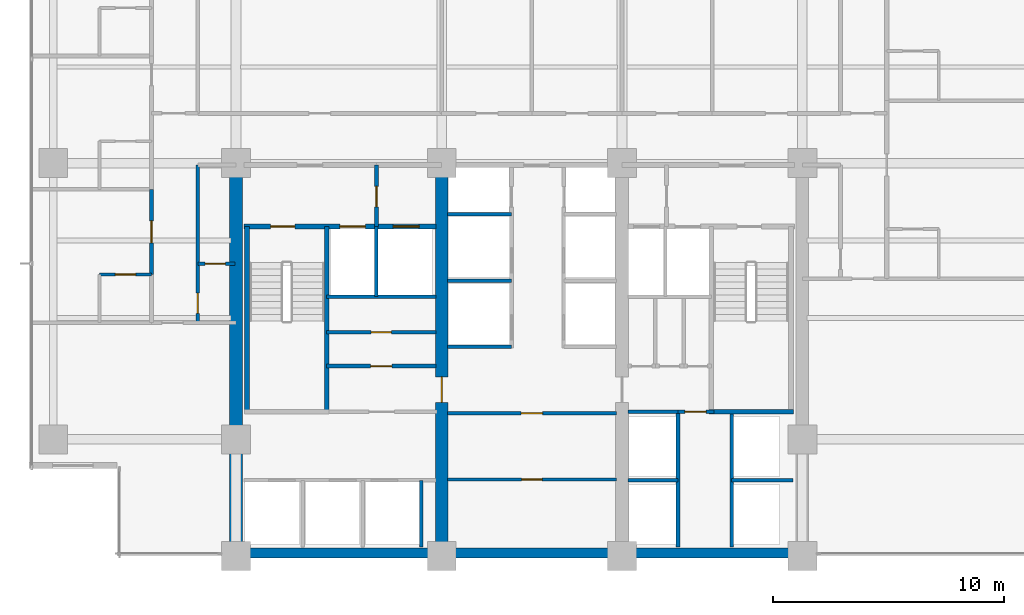
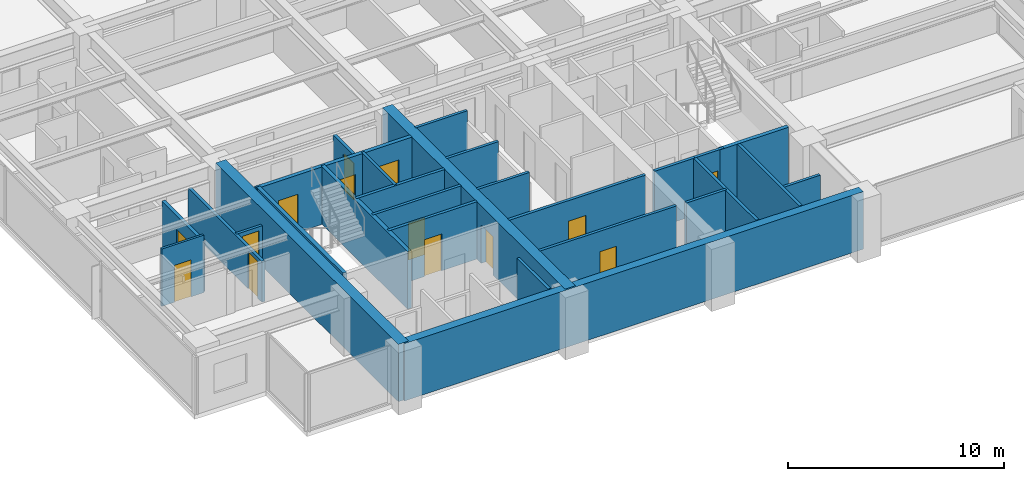
# One storey, part 8 of 17: 28 walls, 14 doors, 14 openings.
"""IFC4 building model written with IfcOpenShell, lengths in metres."""

import ifcopenshell
import ifcopenshell.guid

model = None  # the IFC model being written
_history = None  # IfcOwnerHistory: only IFC2X3 demands one
_inside = {}  # id of a spatial element -> (the spatial element, [elements in it])
_under = {}  # id of a project, library or spatial element -> (it, [spatial elements below it])
_declared = {}  # id of a project -> (the project, [libraries it declares])
_typed = {}  # id of a type object -> (the type object, [elements of that type])
_made_of = {}  # id of a material, layer set ... -> (it, [elements and type objects made of it])


def new_model(schema):
    """Start an empty IFC model of exactly this schema.

    Asked for "IFC4X3", IfcOpenShell would pick the latest addendum, in which some entities
    have other attributes; the version numbers below select the first issue.
    IFC2X3 requires an IfcOwnerHistory on every rooted entity: one is made here for all.
    """
    global model, _history
    if schema == "IFC4X3":
        model = ifcopenshell.file(schema_version=(4, 3, 0, 0))
    else:
        model = ifcopenshell.file(schema=schema)
    _inside.clear()
    _under.clear()
    _declared.clear()
    _typed.clear()
    _made_of.clear()
    _history = None
    if model.schema == "IFC2X3":
        org = make("IfcOrganization", Name="unknown")
        user = make(
            "IfcPersonAndOrganization",
            ThePerson=make("IfcPerson", FamilyName="unknown"),
            TheOrganization=org,
        )
        app = make(
            "IfcApplication",
            ApplicationDeveloper=org,
            Version="unknown",
            ApplicationFullName="unknown",
            ApplicationIdentifier="unknown",
        )
        _history = make(
            "IfcOwnerHistory",
            OwningUser=user,
            OwningApplication=app,
            ChangeAction="ADDED",
            CreationDate=0,
        )
    return model


def make(cls, **values):
    """One entity of the class cls with the attributes given. An attribute that is None is left unset."""
    return model.create_entity(
        cls, **{name: value for name, value in values.items() if value is not None}
    )


def rooted(cls, **values):
    """An entity with a GlobalId (a new one), such as an element, a storey or a relation."""
    return make(cls, GlobalId=ifcopenshell.guid.new(), OwnerHistory=_history, **values)


def si_unit(unit_type, name, prefix=None):
    """IfcSIUnit, for example si_unit("LENGTHUNIT", "METRE", prefix="MILLI")."""
    return make("IfcSIUnit", UnitType=unit_type, Prefix=prefix, Name=name)


def assignment(units):
    """IfcUnitAssignment: the units of a project."""
    return None if units is None else make("IfcUnitAssignment", Units=units)


def point(xyz):
    """IfcCartesianPoint."""
    return None if xyz is None else make("IfcCartesianPoint", Coordinates=xyz)


def direction(xyz):
    """IfcDirection."""
    return None if xyz is None else make("IfcDirection", DirectionRatios=xyz)


def frame(location, z_axis=None, x_axis=None):
    """IfcAxis2Placement3D, a coordinate frame: its origin and axes. An axis left out is left unset."""
    return make(
        "IfcAxis2Placement3D",
        Location=point(location),
        Axis=direction(z_axis),
        RefDirection=direction(x_axis),
    )


def frame_2d(location, x_axis=None):
    """IfcAxis2Placement2D, a coordinate frame in the plane: its origin and x axis."""
    return make(
        "IfcAxis2Placement2D", Location=point(location), RefDirection=direction(x_axis)
    )


def origin():
    """The frame at (0, 0, 0) with its axes left unset."""
    return frame((0.0, 0.0, 0.0))


def place(relative_to, where):
    """IfcLocalPlacement: puts the frame where relative to a parent placement (None: the world)."""
    return make(
        "IfcLocalPlacement", PlacementRelTo=relative_to, RelativePlacement=where
    )


def context(
    kind, dimensions, precision=None, world=None, true_north=None, identifier=None
):
    """IfcGeometricRepresentationContext, for example the 3D "Model" context."""
    return make(
        "IfcGeometricRepresentationContext",
        ContextIdentifier=identifier,
        ContextType=kind,
        CoordinateSpaceDimension=dimensions,
        Precision=precision,
        WorldCoordinateSystem=world,
        TrueNorth=true_north,
    )


def subcontext(parent, identifier, kind, view, scale=None):
    """IfcGeometricRepresentationSubContext, for example "Body" below "Model"."""
    return make(
        "IfcGeometricRepresentationSubContext",
        ContextIdentifier=identifier,
        ContextType=kind,
        ParentContext=parent,
        TargetScale=scale,
        TargetView=view,
    )


def project(units=None, contexts=None):
    """IfcProject with its units and contexts."""
    return rooted(
        "IfcProject",
        Name="project",
        RepresentationContexts=contexts,
        UnitsInContext=assignment(units),
    )


def spatial(cls, under=None, at=None, **own):
    """A site, building, storey or space (cls), placed at a placement, below another one or the project."""
    s = rooted(cls, ObjectPlacement=at, **own)
    if under is not None:
        _under.setdefault(under.id(), (under, []))[1].append(s)
    return s


def profile(cls, at=None, kind="AREA", **sizes):
    """A parametric profile (cls). Its sizes go by their IFC names, for example OverallWidth=200.0."""
    return make(cls, ProfileType=kind, Position=at, **sizes)


def rectangle(**sizes):
    """IfcRectangleProfileDef."""
    return profile("IfcRectangleProfileDef", **sizes)


def extrude(swept, where, along, depth):
    """IfcExtrudedAreaSolid: the profile swept, set in the frame where, extruded along a direction by depth."""
    return make(
        "IfcExtrudedAreaSolid",
        SweptArea=swept,
        Position=where,
        ExtrudedDirection=direction(along),
        Depth=depth,
    )


def shape(context_of_items, identifier, shape_type, items):
    """IfcShapeRepresentation: the items that make up one representation, for example the "Body"."""
    return make(
        "IfcShapeRepresentation",
        ContextOfItems=context_of_items,
        RepresentationIdentifier=identifier,
        RepresentationType=shape_type,
        Items=items,
    )


def material(Name=None, Category=None):
    """IfcMaterial."""
    return make("IfcMaterial", Name=Name, Category=Category)


def layer(
    of_material, thickness, ventilated=None, Name=None, Category=None, Priority=None
):
    """IfcMaterialLayer: one layer of a wall or slab, of a material (None: an air gap)."""
    return make(
        "IfcMaterialLayer",
        Material=of_material,
        LayerThickness=thickness,
        IsVentilated=ventilated,
        Name=Name,
        Category=Category,
        Priority=Priority,
    )


def layer_set(layers, Name=None):
    """IfcMaterialLayerSet."""
    return make("IfcMaterialLayerSet", MaterialLayers=layers, LayerSetName=Name)


def made_of(thing, what):
    """Note that an element or type object is made of a material, layer set ...; save() writes the relation."""
    if what is not None:
        _made_of.setdefault(what.id(), (what, []))[1].append(thing)
    return thing


def type_object(cls, material=None, **own):
    """A type object (cls), such as IfcWallType, which elements share."""
    return made_of(rooted(cls, **own), material)


def element(
    cls,
    number,
    at=None,
    inside=None,
    cuts=None,
    type_object=None,
    material=None,
    context=None,
    identifier="Body",
    shape_type=None,
    held_by="IfcProductDefinitionShape",
    body=None,
    shapes=None,
    **own,
):
    """One element of the class cls, such as IfcWall. Its Tag is "e" and its number.

    at: its placement. inside: the storey or other place that contains it. cuts: it is an
    opening in that element (IfcRelVoidsElement). A single representation is given by context,
    identifier, shape_type and body (its items); several are given by shapes. held_by: the class
    of the entity that holds the representations. save() writes the other relations.
    """
    e = rooted(cls, Tag="e%d" % number, ObjectPlacement=at, **own)
    if body is not None:
        shapes = [shape(context, identifier, shape_type, body)]
    if shapes is not None:
        e.Representation = make(held_by, Representations=shapes)
    if inside is not None:
        _inside.setdefault(inside.id(), (inside, []))[1].append(e)
    if cuts is not None:
        rooted(
            "IfcRelVoidsElement", RelatingBuildingElement=cuts, RelatedOpeningElement=e
        )
    if type_object is not None:
        _typed.setdefault(type_object.id(), (type_object, []))[1].append(e)
    return made_of(e, material)


def fill(opening, filler):
    """IfcRelFillsElement: the door or window that sits in an opening."""
    return rooted(
        "IfcRelFillsElement",
        RelatingOpeningElement=opening,
        RelatedBuildingElement=filler,
    )


def aggregate(whole, parts):
    """IfcRelAggregates: a whole, such as a stair, and the parts it consists of."""
    return rooted("IfcRelAggregates", RelatingObject=whole, RelatedObjects=parts)


def save(model, path):
    """Write the relations noted so far, then the file.

    IfcRelAggregates (storeys below a building ...), IfcRelContainedInSpatialStructure (elements
    in a storey), IfcRelDefinesByType, IfcRelAssociatesMaterial and IfcRelDeclares: one each for
    every whole, place, type object, material and project.
    """
    for whole, parts in _under.values():
        aggregate(whole, parts)
    for where, things in _inside.values():
        rooted(
            "IfcRelContainedInSpatialStructure",
            RelatedElements=things,
            RelatingStructure=where,
        )
    for kind, things in _typed.values():
        rooted("IfcRelDefinesByType", RelatedObjects=things, RelatingType=kind)
    for what, things in _made_of.values():
        rooted("IfcRelAssociatesMaterial", RelatedObjects=things, RelatingMaterial=what)
    for by, libraries in _declared.values():
        rooted("IfcRelDeclares", RelatingContext=by, RelatedDefinitions=libraries)
    model.write(path)


model = new_model("IFC4")

# Units and contexts
model_context = context("Model", 3, precision=1e-05, world=origin(), true_north=direction((0.0, 1.0)))
body_context = subcontext(model_context, "Body", "Model", "MODEL_VIEW")
ifc_project = project(units=[si_unit("LENGTHUNIT", "METRE"), si_unit("AREAUNIT", "SQUARE_METRE"), si_unit("VOLUMEUNIT", "CUBIC_METRE"), si_unit("PLANEANGLEUNIT", "RADIAN"), si_unit("MASSUNIT", "GRAM", prefix="KILO")], contexts=[model_context])

# Site, building, storey
site_placement = place(None, origin())
site = spatial("IfcSite", under=ifc_project, at=site_placement, CompositionType="ELEMENT")
building_placement = place(site_placement, origin())
building = spatial("IfcBuilding", under=site, at=building_placement, Name="Qalmaran Belvedere Hotel", CompositionType="ELEMENT")
storey_placement = place(building_placement, frame((0.0, 0.0, 119.699951171875)))
storey = spatial("IfcBuildingStorey", under=building, at=storey_placement, Name="L30", CompositionType="ELEMENT", Elevation=119.699951171875)

# Wall
ifc_material_1 = material(Name="Concrete C60/75", Category="concrete")
ifc_layer_1 = layer(ifc_material_1, 0.550048828125, Name="Concrete C60/75")
ifc_layer_set_1 = layer_set([ifc_layer_1], Name="Concrete C60/75")
wall_type_1 = type_object("IfcWallType", Name="WL-CORE-550-C60", PredefinedType="SHEAR", material=ifc_layer_set_1)
wall_1_placement = place(storey_placement, frame((20.300048828125, 3.5, 0.0), z_axis=(0.0, 0.0, 1.0), x_axis=(0.0, 1.0, 0.0)))
element("IfcWall", 1, at=wall_1_placement, inside=storey, type_object=wall_type_1, Name="L30 West Core Shear Wall", PredefinedType="SHEAR", context=body_context, shape_type="SweptSolid", body=[
    extrude(rectangle(XDim=16.89990234375, YDim=0.550048828125, at=frame_2d((8.449951171875, 0.0))), origin(), (0.0, 0.0, 1.0), 3.239990234375),
])

# Wall, opening, door
wall_2_placement = place(storey_placement, frame((29.199951171875, 3.5, 0.0), z_axis=(0.0, 0.0, 1.0), x_axis=(0.0, 1.0, 0.0)))
wall_2 = element("IfcWall", 2, at=wall_2_placement, inside=storey, type_object=wall_type_1, Name="L30 Core West Spine Shear Wall", PredefinedType="SHEAR", context=body_context, shape_type="SweptSolid", body=[
    extrude(rectangle(XDim=16.89990234375, YDim=0.550048828125, at=frame_2d((8.449951171875, 0.0))), origin(), (0.0, 0.0, 1.0), 3.239990234375),
])
opening_1_placement = place(wall_2_placement, frame((7.75, 0.0, 0.0), z_axis=(0.0, 0.0, 1.0), x_axis=(-1.0, 0.0, 0.0)))
opening_1 = element("IfcOpeningElement", 3, at=opening_1_placement, cuts=wall_2, Name="Opening FD90", PredefinedType="OPENING", context=body_context, shape_type="SweptSolid", body=[
    extrude(rectangle(XDim=1.10009765625, YDim=2.14990234375, at=frame_2d((0.550048828125, 1.074951171875))), frame((0.0, 0.28515625, 0.0), z_axis=(0.0, -1.0, 0.0), x_axis=(1.0, 0.0, 0.0)), (0.0, 0.0, 1.0), 0.570068359375),
])
ifc_material_2 = material(Name="Steel S355JR", Category="steel")
door_type_1 = type_object("IfcDoorType", Name="DR-FD90-1100X2150", OperationType="NOTDEFINED", PredefinedType="DOOR", material=ifc_material_2)
door_1_placement = place(opening_1_placement, origin())
door_1 = element("IfcDoor", 4, at=door_1_placement, inside=storey, type_object=door_type_1, Name="L30 Core West Cross-Lobby Door", OperationType="SINGLE_SWING_RIGHT", OverallHeight=2.14990234375, OverallWidth=1.10009765625, PredefinedType="DOOR", context=body_context, shape_type="SweptSolid", body=[
    extrude(rectangle(XDim=1.10009765625, YDim=2.14990234375, at=frame_2d((0.550048828125, 1.074951171875))), frame((0.0, 0.02490234375, 0.0), z_axis=(0.0, -1.0, 0.0), x_axis=(1.0, 0.0, 0.0)), (0.0, 0.0, 1.0), 0.050048828125),
])
fill(opening_1, door_1)

# Wall
ifc_material_3 = material(Name="Concrete C50/60", Category="concrete")
ifc_layer_2 = layer(ifc_material_3, 0.43994140625, Name="Concrete C50/60")
ifc_layer_set_2 = layer_set([ifc_layer_2], Name="Concrete C50/60")
wall_type_2 = type_object("IfcWallType", Name="WL-CORES-440-EXT", PredefinedType="SHEAR", material=ifc_layer_set_2)
wall_3_placement = place(storey_placement, frame((20.300048828125, 3.6298828125, 0.0), z_axis=(0.0, 0.0, 1.0), x_axis=(1.0, 0.0, 0.0)))
element("IfcWall", 5, at=wall_3_placement, inside=storey, type_object=wall_type_2, Name="L30 South Core Shear Wall", PredefinedType="SHEAR", context=body_context, shape_type="SweptSolid", body=[
    extrude(rectangle(XDim=24.5, YDim=0.43994140625, at=frame_2d((12.25, 0.0))), origin(), (0.0, 0.0, 1.0), 3.239990234375),
])

# Wall, opening, door
ifc_material_4 = material(Name="Moisture-Resistant Gypsum")
ifc_layer_3 = layer(ifc_material_4, 0.1201171875, Name="Moisture-Resistant Gypsum")
ifc_layer_set_3 = layer_set([ifc_layer_3], Name="Moisture-Resistant Gypsum")
wall_type_3 = type_object("IfcWallType", Name="WL-INT-120-BATH", PredefinedType="PARTITIONING", material=ifc_layer_set_3)
wall_4_placement = place(storey_placement, frame((14.39990234375, 15.679931640625, 0.0), z_axis=(0.0, 0.0, 1.0), x_axis=(1.0, 0.0, 0.0)))
wall_4 = element("IfcWall", 6, at=wall_4_placement, inside=storey, type_object=wall_type_3, Name="L30 Partition WL-L30-WBN00", PredefinedType="PARTITIONING", context=body_context, shape_type="SweptSolid", body=[
    extrude(rectangle(XDim=2.25, YDim=0.1201171875, at=frame_2d((1.125, 0.0))), origin(), (0.0, 0.0, 1.0), 3.239990234375),
])
opening_2_placement = place(wall_4_placement, frame((1.56494140625, 0.0, 0.0), z_axis=(0.0, 0.0, 1.0), x_axis=(-1.0, 0.0, 0.0)))
opening_2 = element("IfcOpeningElement", 7, at=opening_2_placement, cuts=wall_4, Name="Opening D-BATH", PredefinedType="OPENING", context=body_context, shape_type="SweptSolid", body=[
    extrude(rectangle(XDim=0.8798828125, YDim=2.080078125, at=frame_2d((0.43994140625, 1.0400390625))), frame((0.0, 0.070068359375, 0.0), z_axis=(0.0, -1.0, 0.0), x_axis=(1.0, 0.0, 0.0)), (0.0, 0.0, 1.0), 0.14013671875),
])
ifc_material_5 = material(Name="Engineered Oak Veneer")
door_type_2 = type_object("IfcDoorType", Name="DR-INT-BATH-880X2080", OperationType="NOTDEFINED", PredefinedType="DOOR", material=ifc_material_5)
door_2_placement = place(opening_2_placement, origin())
door_2 = element("IfcDoor", 8, at=door_2_placement, inside=storey, type_object=door_type_2, Name="L30 W Ensuite Door 01", OperationType="SINGLE_SWING_LEFT", OverallHeight=2.080078125, OverallWidth=0.8798828125, PredefinedType="DOOR", context=body_context, shape_type="SweptSolid", body=[
    extrude(rectangle(XDim=0.8798828125, YDim=2.080078125, at=frame_2d((0.43994140625, 1.0400390625))), frame((0.0, 0.02490234375, 0.0), z_axis=(0.0, -1.0, 0.0), x_axis=(1.0, 0.0, 0.0)), (0.0, 0.0, 1.0), 0.050048828125),
])
fill(opening_2, door_2)

ifc_material_6 = material(Name="Gypsum Stud Partition")
ifc_layer_4 = layer(ifc_material_6, 0.139892578125, Name="Gypsum Stud Partition")
ifc_layer_set_4 = layer_set([ifc_layer_4], Name="Gypsum Stud Partition")
wall_type_4 = type_object("IfcWallType", Name="WL-INT-140-NR", PredefinedType="PARTITIONING", material=ifc_layer_set_4)
wall_5_placement = place(storey_placement, frame((18.64990234375, 16.14990234375, 0.0), z_axis=(0.0, 0.0, 1.0), x_axis=(1.0, 0.0, 0.0)))
wall_5 = element("IfcWall", 9, at=wall_5_placement, inside=storey, type_object=wall_type_4, Name="L30 Partition WL-L30-WCLSUB", PredefinedType="PARTITIONING", context=body_context, shape_type="SweptSolid", body=[
    extrude(rectangle(XDim=1.60009765625, YDim=0.139892578125, at=frame_2d((0.800048828125, 0.0))), origin(), (0.0, 0.0, 1.0), 2.31298828125),
])
opening_3_placement = place(wall_5_placement, frame((1.193115234375, 0.0, 0.0), z_axis=(0.0, 0.0, 1.0), x_axis=(-1.0, 0.0, 0.0)))
opening_3 = element("IfcOpeningElement", 10, at=opening_3_placement, cuts=wall_5, Name="Opening D-BATH", PredefinedType="OPENING", context=body_context, shape_type="SweptSolid", body=[
    extrude(rectangle(XDim=0.8798828125, YDim=2.080078125, at=frame_2d((0.43994140625, 1.0400390625))), frame((0.0, 0.080078125, 0.0), z_axis=(0.0, -1.0, 0.0), x_axis=(1.0, 0.0, 0.0)), (0.0, 0.0, 1.0), 0.159912109375),
])
door_3_placement = place(opening_3_placement, origin())
door_3 = element("IfcDoor", 11, at=door_3_placement, inside=storey, type_object=door_type_2, Name="L30 Closet Alcove Door", OperationType="SINGLE_SWING_RIGHT", OverallHeight=2.080078125, OverallWidth=0.8798828125, PredefinedType="DOOR", context=body_context, shape_type="SweptSolid", body=[
    extrude(rectangle(XDim=0.8798828125, YDim=2.080078125, at=frame_2d((0.43994140625, 1.0400390625))), frame((0.0, 0.02490234375, 0.0), z_axis=(0.0, -1.0, 0.0), x_axis=(1.0, 0.0, 0.0)), (0.0, 0.0, 1.0), 0.050048828125),
])
fill(opening_3, door_3)

# Walls
ifc_layer_5 = layer(ifc_material_6, 0.14990234375, Name="Gypsum Stud Partition")
ifc_layer_set_5 = layer_set([ifc_layer_5], Name="Gypsum Stud Partition")
wall_type_5 = type_object("IfcWallType", Name="WL-INT-150-EI120", PredefinedType="PARTITIONING", material=ifc_layer_set_5)
wall_6_placement = place(storey_placement, frame((26.360107421875, 14.719970703125, 0.0), z_axis=(0.0, 0.0, 1.0), x_axis=(0.0, 1.0, 0.0)))
element("IfcWall", 12, at=wall_6_placement, inside=storey, type_object=wall_type_5, Name="L30 Partition WL-FF1M-L30", PredefinedType="PARTITIONING", context=body_context, shape_type="SweptSolid", body=[
    extrude(rectangle(XDim=3.0400390625, YDim=0.14990234375, at=frame_2d((1.52001953125, 0.0))), origin(), (0.0, 0.0, 1.0), 3.239990234375),
])
wall_7_placement = place(storey_placement, frame((28.320068359375, 3.89990234375, 0.0), z_axis=(0.0, 0.0, 1.0), x_axis=(0.0, 1.0, 0.0)))
element("IfcWall", 13, at=wall_7_placement, inside=storey, type_object=wall_type_5, Name="L30 Partition WL-POM3-L30", PredefinedType="PARTITIONING", context=body_context, shape_type="SweptSolid", body=[
    extrude(rectangle(XDim=2.880126953125, YDim=0.14990234375, at=frame_2d((1.43994140625, 0.0))), origin(), (0.0, 0.0, 1.0), 3.239990234375),
])
wall_8_placement = place(storey_placement, frame((37.25, 6.780029296875, 0.0), z_axis=(0.0, 0.0, 1.0), x_axis=(1.0, 0.0, 0.0)))
element("IfcWall", 14, at=wall_8_placement, inside=storey, type_object=wall_type_5, Name="L30 Partition WL-PHMW-L30", PredefinedType="PARTITIONING", context=body_context, shape_type="SweptSolid", body=[
    extrude(rectangle(XDim=2.169921875, YDim=0.14990234375, at=frame_2d((1.0849609375, 0.0))), origin(), (0.0, 0.0, 1.0), 3.239990234375),
])
wall_9_placement = place(storey_placement, frame((41.739990234375, 6.780029296875, 0.0), z_axis=(0.0, 0.0, 1.0), x_axis=(1.0, 0.0, 0.0)))
element("IfcWall", 15, at=wall_9_placement, inside=storey, type_object=wall_type_5, Name="L30 Partition WL-PHME-L30", PredefinedType="PARTITIONING", context=body_context, shape_type="SweptSolid", body=[
    extrude(rectangle(XDim=2.659912109375, YDim=0.14990234375, at=frame_2d((1.330078125, 0.0))), origin(), (0.0, 0.0, 1.0), 2.31298828125),
])
for number, where, z_axis, x_axis, name in (
    (16, (29.449951171875, 12.550048828125, 0.0), (0.0, 0.0, 1.0), (1.0, 0.0, 0.0), "L30 Partition WL-PMW-L30-125"),
    (17, (29.449951171875, 15.419921875, 0.0), (0.0, 0.0, 1.0), (1.0, 0.0, 0.0), "L30 Partition WL-PMW-L30-154"),
    (18, (29.449951171875, 18.280029296875, 0.0), (0.0, 0.0, 1.0), (1.0, 0.0, 0.0), "L30 Partition WL-PMW-L30-182"),
):
    element("IfcWall", number, at=place(storey_placement, frame(where, z_axis=z_axis, x_axis=x_axis)), inside=storey, type_object=wall_type_5, Name=name, PredefinedType="PARTITIONING", context=body_context, shape_type="SweptSolid", body=[
        extrude(rectangle(XDim=2.77001953125, YDim=0.14990234375, at=frame_2d((1.385009765625, 0.0))), origin(), (0.0, 0.0, 1.0), 3.239990234375),
    ])

# Wall, opening, door
ifc_layer_6 = layer(ifc_material_6, 0.14990234375, Name="Gypsum Stud Partition")
ifc_layer_set_6 = layer_set([ifc_layer_6], Name="Gypsum Stud Partition")
wall_type_6 = type_object("IfcWallType", Name="WL-INT-150-EI60", PredefinedType="PARTITIONING", material=ifc_layer_set_6)
wall_10_placement = place(storey_placement, frame((24.219970703125, 13.18505859375, 0.0), z_axis=(0.0, 0.0, 1.0), x_axis=(1.0, 0.0, 0.0)))
wall_10 = element("IfcWall", 19, at=wall_10_placement, inside=storey, type_object=wall_type_6, Name="L30 Partition WL-L30-KWHM", PredefinedType="PARTITIONING", context=body_context, shape_type="SweptSolid", body=[
    extrude(rectangle(XDim=4.72998046875, YDim=0.14990234375, at=frame_2d((2.364990234375, 0.0))), origin(), (0.0, 0.0, 1.0), 3.239990234375),
])
opening_4_placement = place(wall_10_placement, frame((1.925048828125, 0.0, 0.0)))
opening_4 = element("IfcOpeningElement", 20, at=opening_4_placement, cuts=wall_10, Name="Opening FD60B", PredefinedType="OPENING", context=body_context, shape_type="SweptSolid", body=[
    extrude(rectangle(XDim=0.8798828125, YDim=2.080078125, at=frame_2d((0.43994140625, 1.0400390625))), frame((0.0, 0.0849609375, 0.0), z_axis=(0.0, -1.0, 0.0), x_axis=(1.0, 0.0, 0.0)), (0.0, 0.0, 1.0), 0.169921875),
])
door_type_3 = type_object("IfcDoorType", Name="DR-FD60B-880X2080", OperationType="NOTDEFINED", PredefinedType="DOOR", material=ifc_material_2)
door_4_placement = place(opening_4_placement, origin())
door_4 = element("IfcDoor", 21, at=door_4_placement, inside=storey, type_object=door_type_3, Name="L30 Staff Core WC Door", OperationType="SINGLE_SWING_RIGHT", OverallHeight=2.080078125, OverallWidth=0.8798828125, PredefinedType="DOOR", context=body_context, shape_type="SweptSolid", body=[
    extrude(rectangle(XDim=0.8798828125, YDim=2.080078125, at=frame_2d((0.43994140625, 1.0400390625))), frame((0.0, 0.02490234375, 0.0), z_axis=(0.0, -1.0, 0.0), x_axis=(1.0, 0.0, 0.0)), (0.0, 0.0, 1.0), 0.050048828125),
])
fill(opening_4, door_4)

wall_11_placement = place(storey_placement, frame((29.449951171875, 6.81494140625, 0.0), z_axis=(0.0, 0.0, 1.0), x_axis=(1.0, 0.0, 0.0)))
wall_11 = element("IfcWall", 22, at=wall_11_placement, inside=storey, type_object=wall_type_6, Name="L30 Partition WL-L30-KPLHM", PredefinedType="PARTITIONING", context=body_context, shape_type="SweptSolid", body=[
    extrude(rectangle(XDim=7.300048828125, YDim=0.14990234375, at=frame_2d((3.64990234375, 0.0))), origin(), (0.0, 0.0, 1.0), 3.239990234375),
])
opening_5_placement = place(wall_11_placement, frame((4.08984375, 0.0, 0.0), z_axis=(0.0, 0.0, 1.0), x_axis=(-1.0, 0.0, 0.0)))
opening_5 = element("IfcOpeningElement", 23, at=opening_5_placement, cuts=wall_11, Name="Opening FD60B", PredefinedType="OPENING", context=body_context, shape_type="SweptSolid", body=[
    extrude(rectangle(XDim=0.8798828125, YDim=2.080078125, at=frame_2d((0.43994140625, 1.0400390625))), frame((0.0, 0.0849609375, 0.0), z_axis=(0.0, -1.0, 0.0), x_axis=(1.0, 0.0, 0.0)), (0.0, 0.0, 1.0), 0.169921875),
])
door_5_placement = place(opening_5_placement, origin())
door_5 = element("IfcDoor", 24, at=door_5_placement, inside=storey, type_object=door_type_3, Name="L30 Housekeeping and Linen Room Door", OperationType="SINGLE_SWING_LEFT", OverallHeight=2.080078125, OverallWidth=0.8798828125, PredefinedType="DOOR", context=body_context, shape_type="SweptSolid", body=[
    extrude(rectangle(XDim=0.8798828125, YDim=2.080078125, at=frame_2d((0.43994140625, 1.0400390625))), frame((0.0, 0.02490234375, 0.0), z_axis=(0.0, -1.0, 0.0), x_axis=(1.0, 0.0, 0.0)), (0.0, 0.0, 1.0), 0.050048828125),
])
fill(opening_5, door_5)

ifc_layer_7 = layer(ifc_material_6, 0.159912109375, Name="Gypsum Stud Partition")
ifc_layer_set_7 = layer_set([ifc_layer_7], Name="Gypsum Stud Partition")
wall_type_7 = type_object("IfcWallType", Name="WL-INT-160-EI120", PredefinedType="PARTITIONING", material=ifc_layer_set_7)
wall_12_placement = place(storey_placement, frame((26.3798828125, 17.760009765625, 0.0), z_axis=(0.0, 0.0, 1.0), x_axis=(0.0, 1.0, 0.0)))
wall_12 = element("IfcWall", 25, at=wall_12_placement, inside=storey, type_object=wall_type_7, Name="L30 Partition WL-FFSV1-L30", PredefinedType="PARTITIONING", context=body_context, shape_type="SweptSolid", body=[
    extrude(rectangle(XDim=2.659912109375, YDim=0.159912109375, at=frame_2d((1.330078125, 0.0))), origin(), (0.0, 0.0, 1.0), 2.614013671875),
])
opening_6_placement = place(wall_12_placement, frame((0.85009765625, 0.0, 0.0)))
opening_6 = element("IfcOpeningElement", 26, at=opening_6_placement, cuts=wall_12, Name="Opening FD60B", PredefinedType="OPENING", context=body_context, shape_type="SweptSolid", body=[
    extrude(rectangle(XDim=0.8798828125, YDim=2.080078125, at=frame_2d((0.43994140625, 1.0400390625))), frame((0.0, 0.08984375, 0.0), z_axis=(0.0, -1.0, 0.0), x_axis=(1.0, 0.0, 0.0)), (0.0, 0.0, 1.0), 0.179931640625),
])
door_6_placement = place(opening_6_placement, origin())
door_6 = element("IfcDoor", 27, at=door_6_placement, inside=storey, type_object=door_type_3, Name="L30 Service Lobby West Door", OperationType="SINGLE_SWING_RIGHT", OverallHeight=2.080078125, OverallWidth=0.8798828125, PredefinedType="DOOR", context=body_context, shape_type="SweptSolid", body=[
    extrude(rectangle(XDim=0.8798828125, YDim=2.080078125, at=frame_2d((0.43994140625, 1.0400390625))), frame((0.0, 0.02490234375, 0.0), z_axis=(0.0, -1.0, 0.0), x_axis=(1.0, 0.0, 0.0)), (0.0, 0.0, 1.0), 0.050048828125),
])
fill(opening_6, door_6)

# Walls
wall_13_placement = place(storey_placement, frame((24.219970703125, 14.719970703125, 0.0), z_axis=(0.0, 0.0, 1.0), x_axis=(1.0, 0.0, 0.0)))
element("IfcWall", 28, at=wall_13_placement, inside=storey, type_object=wall_type_7, Name="L30 Partition WL-FF1S-L30", PredefinedType="PARTITIONING", context=body_context, shape_type="SweptSolid", body=[
    extrude(rectangle(XDim=4.72998046875, YDim=0.159912109375, at=frame_2d((2.364990234375, 0.0))), origin(), (0.0, 0.0, 1.0), 3.239990234375),
])
for number, where, z_axis, x_axis, name in (
    (29, (39.419921875, 3.89990234375, 0.0), (0.0, 0.0, 1.0), (0.0, 1.0, 0.0), "L30 Partition WL-PHW-L30"),
    (30, (41.739990234375, 3.89990234375, 0.0), (0.0, 0.0, 1.0), (0.0, 1.0, 0.0), "L30 Partition WL-PHE-L30"),
):
    element("IfcWall", number, at=place(storey_placement, frame(where, z_axis=z_axis, x_axis=x_axis)), inside=storey, type_object=wall_type_7, Name=name, PredefinedType="PARTITIONING", context=body_context, shape_type="SweptSolid", body=[
        extrude(rectangle(XDim=5.840087890625, YDim=0.159912109375, at=frame_2d((2.919921875, 0.0))), origin(), (0.0, 0.0, 1.0), 3.239990234375),
    ])
wall_14_placement = place(storey_placement, frame((37.25, 9.739990234375, 0.0), z_axis=(0.0, 0.0, 1.0), x_axis=(1.0, 0.0, 0.0)))
element("IfcWall", 31, at=wall_14_placement, inside=storey, type_object=wall_type_7, Name="L30 Partition WL-PHNW-L30", PredefinedType="PARTITIONING", context=body_context, shape_type="SweptSolid", body=[
    extrude(rectangle(XDim=2.169921875, YDim=0.159912109375, at=frame_2d((1.0849609375, 0.0))), origin(), (0.0, 0.0, 1.0), 3.239990234375),
])

# Wall, opening, door
wall_15_placement = place(storey_placement, frame((39.419921875, 9.739990234375, 0.0), z_axis=(0.0, 0.0, 1.0), x_axis=(1.0, 0.0, 0.0)))
wall_15 = element("IfcWall", 32, at=wall_15_placement, inside=storey, type_object=wall_type_7, Name="L30 Partition WL-PHNL-L30", PredefinedType="PARTITIONING", context=body_context, shape_type="SweptSolid", body=[
    extrude(rectangle(XDim=1.56005859375, YDim=0.159912109375, at=frame_2d((0.780029296875, 0.0))), origin(), (0.0, 0.0, 1.0), 3.239990234375),
])
opening_7_placement = place(wall_15_placement, frame((0.300048828125, 0.0, 0.0)))
opening_7 = element("IfcOpeningElement", 33, at=opening_7_placement, cuts=wall_15, Name="Opening FD60S1", PredefinedType="OPENING", context=body_context, shape_type="SweptSolid", body=[
    extrude(rectangle(XDim=0.919921875, YDim=2.080078125, at=frame_2d((0.4599609375, 1.0400390625))), frame((0.0, 0.08984375, 0.0), z_axis=(0.0, -1.0, 0.0), x_axis=(1.0, 0.0, 0.0)), (0.0, 0.0, 1.0), 0.179931640625),
])
door_type_4 = type_object("IfcDoorType", Name="DR-FD60S-920X2080", OperationType="NOTDEFINED", PredefinedType="DOOR", material=ifc_material_5)
door_7_placement = place(opening_7_placement, origin())
door_7 = element("IfcDoor", 34, at=door_7_placement, inside=storey, type_object=door_type_4, Name="L30 High-Rise Lift Lobby Passage Door", OperationType="SINGLE_SWING_LEFT", OverallHeight=2.080078125, OverallWidth=0.919921875, PredefinedType="DOOR", context=body_context, shape_type="SweptSolid", body=[
    extrude(rectangle(XDim=0.919921875, YDim=2.080078125, at=frame_2d((0.4599609375, 1.0400390625))), frame((0.0, 0.02490234375, 0.0), z_axis=(0.0, -1.0, 0.0), x_axis=(1.0, 0.0, 0.0)), (0.0, 0.0, 1.0), 0.050048828125),
])
fill(opening_7, door_7)

ifc_layer_8 = layer(ifc_material_6, 0.159912109375, Name="Gypsum Stud Partition")
ifc_layer_set_8 = layer_set([ifc_layer_8], Name="Gypsum Stud Partition")
wall_type_8 = type_object("IfcWallType", Name="WL-INT-160-EI60", PredefinedType="PARTITIONING", material=ifc_layer_set_8)
wall_16_placement = place(storey_placement, frame((24.219970703125, 11.719970703125, 0.0), z_axis=(0.0, 0.0, 1.0), x_axis=(1.0, 0.0, 0.0)))
wall_16 = element("IfcWall", 35, at=wall_16_placement, inside=storey, type_object=wall_type_8, Name="L30 Partition WL-L30-KWE1", PredefinedType="PARTITIONING", context=body_context, shape_type="SweptSolid", body=[
    extrude(rectangle(XDim=4.72998046875, YDim=0.159912109375, at=frame_2d((2.364990234375, 0.0))), origin(), (0.0, 0.0, 1.0), 3.239990234375),
])
opening_8_placement = place(wall_16_placement, frame((1.905029296875, 0.0, 0.0)))
opening_8 = element("IfcOpeningElement", 36, at=opening_8_placement, cuts=wall_16, Name="Opening FD60S1", PredefinedType="OPENING", context=body_context, shape_type="SweptSolid", body=[
    extrude(rectangle(XDim=0.919921875, YDim=2.080078125, at=frame_2d((0.4599609375, 1.0400390625))), frame((0.0, 0.08984375, 0.0), z_axis=(0.0, -1.0, 0.0), x_axis=(1.0, 0.0, 0.0)), (0.0, 0.0, 1.0), 0.179931640625),
])
door_8_placement = place(opening_8_placement, origin())
door_8 = element("IfcDoor", 37, at=door_8_placement, inside=storey, type_object=door_type_4, Name="L30 Cleaner Supply Store Door", OperationType="SINGLE_SWING_LEFT", OverallHeight=2.080078125, OverallWidth=0.919921875, PredefinedType="DOOR", context=body_context, shape_type="SweptSolid", body=[
    extrude(rectangle(XDim=0.919921875, YDim=2.080078125, at=frame_2d((0.4599609375, 1.0400390625))), frame((0.0, 0.02490234375, 0.0), z_axis=(0.0, -1.0, 0.0), x_axis=(1.0, 0.0, 0.0)), (0.0, 0.0, 1.0), 0.050048828125),
])
fill(opening_8, door_8)

wall_17_placement = place(storey_placement, frame((29.449951171875, 9.679931640625, 0.0), z_axis=(0.0, 0.0, 1.0), x_axis=(1.0, 0.0, 0.0)))
wall_17 = element("IfcWall", 38, at=wall_17_placement, inside=storey, type_object=wall_type_8, Name="L30 Partition WL-L30-KPLE1", PredefinedType="PARTITIONING", context=body_context, shape_type="SweptSolid", body=[
    extrude(rectangle(XDim=7.300048828125, YDim=0.159912109375, at=frame_2d((3.64990234375, 0.0))), origin(), (0.0, 0.0, 1.0), 3.239990234375),
])
opening_9_placement = place(wall_17_placement, frame((4.10986328125, 0.0, 0.0), z_axis=(0.0, 0.0, 1.0), x_axis=(-1.0, 0.0, 0.0)))
opening_9 = element("IfcOpeningElement", 39, at=opening_9_placement, cuts=wall_17, Name="Opening FD60S1", PredefinedType="OPENING", context=body_context, shape_type="SweptSolid", body=[
    extrude(rectangle(XDim=0.919921875, YDim=2.080078125, at=frame_2d((0.4599609375, 1.0400390625))), frame((0.0, 0.08984375, 0.0), z_axis=(0.0, -1.0, 0.0), x_axis=(1.0, 0.0, 0.0)), (0.0, 0.0, 1.0), 0.179931640625),
])
door_9_placement = place(opening_9_placement, origin())
door_9 = element("IfcDoor", 40, at=door_9_placement, inside=storey, type_object=door_type_4, Name="L30 Guest Valet Supply Store Door", OperationType="SINGLE_SWING_RIGHT", OverallHeight=2.080078125, OverallWidth=0.919921875, PredefinedType="DOOR", context=body_context, shape_type="SweptSolid", body=[
    extrude(rectangle(XDim=0.919921875, YDim=2.080078125, at=frame_2d((0.4599609375, 1.0400390625))), frame((0.0, 0.02490234375, 0.0), z_axis=(0.0, -1.0, 0.0), x_axis=(1.0, 0.0, 0.0)), (0.0, 0.0, 1.0), 0.050048828125),
])
fill(opening_9, door_9)

wall_18_placement = place(storey_placement, frame((18.64990234375, 13.60009765625, 0.0), z_axis=(0.0, 0.0, 1.0), x_axis=(0.0, 1.0, 0.0)))
wall_18 = element("IfcWall", 41, at=wall_18_placement, inside=storey, type_object=wall_type_8, Name="L30 Partition WL-L30-WCL", PredefinedType="PARTITIONING", context=body_context, shape_type="SweptSolid", body=[
    extrude(rectangle(XDim=6.81982421875, YDim=0.159912109375, at=frame_2d((3.409912109375, 0.0))), origin(), (0.0, 0.0, 1.0), 2.31298828125),
])
opening_10_placement = place(wall_18_placement, frame((1.27978515625, 0.0, 0.0), z_axis=(0.0, 0.0, 1.0), x_axis=(-1.0, 0.0, 0.0)))
opening_10 = element("IfcOpeningElement", 42, at=opening_10_placement, cuts=wall_18, Name="Opening FD60B", PredefinedType="OPENING", context=body_context, shape_type="SweptSolid", body=[
    extrude(rectangle(XDim=0.8798828125, YDim=2.080078125, at=frame_2d((0.43994140625, 1.0400390625))), frame((0.0, 0.08984375, 0.0), z_axis=(0.0, -1.0, 0.0), x_axis=(1.0, 0.0, 0.0)), (0.0, 0.0, 1.0), 0.179931640625),
])
door_10_placement = place(opening_10_placement, origin())
door_10 = element("IfcDoor", 43, at=door_10_placement, inside=storey, type_object=door_type_3, Name="L30 West Closet Door", OperationType="SINGLE_SWING_RIGHT", OverallHeight=2.080078125, OverallWidth=0.8798828125, PredefinedType="DOOR", context=body_context, shape_type="SweptSolid", body=[
    extrude(rectangle(XDim=0.8798828125, YDim=2.080078125, at=frame_2d((0.43994140625, 1.0400390625))), frame((0.0, 0.02490234375, 0.0), z_axis=(0.0, -1.0, 0.0), x_axis=(1.0, 0.0, 0.0)), (0.0, 0.0, 1.0), 0.050048828125),
])
fill(opening_10, door_10)

ifc_layer_9 = layer(ifc_material_6, 0.179931640625, Name="Gypsum Stud Partition")
ifc_layer_set_9 = layer_set([ifc_layer_9], Name="Gypsum Stud Partition")
wall_type_9 = type_object("IfcWallType", Name="WL-INT-180-EI60", PredefinedType="PARTITIONING", material=ifc_layer_set_9)
wall_19_placement = place(storey_placement, frame((16.64990234375, 15.679931640625, 0.0), z_axis=(0.0, 0.0, 1.0), x_axis=(0.0, 1.0, 0.0)))
wall_19 = element("IfcWall", 44, at=wall_19_placement, inside=storey, type_object=wall_type_9, Name="L30 Partition WL-L30-WEC00", PredefinedType="PARTITIONING", context=body_context, shape_type="SweptSolid", body=[
    extrude(rectangle(XDim=3.686767578125, YDim=0.179931640625, at=frame_2d((1.84326171875, 0.0))), origin(), (0.0, 0.0, 1.0), 2.922119140625),
])
opening_11_placement = place(wall_19_placement, frame((1.368408203125, 0.0, 0.0)))
opening_11 = element("IfcOpeningElement", 45, at=opening_11_placement, cuts=wall_19, Name="Opening FD60", PredefinedType="OPENING", context=body_context, shape_type="SweptSolid", body=[
    extrude(rectangle(XDim=0.949951171875, YDim=2.14990234375, at=frame_2d((0.47509765625, 1.074951171875))), frame((0.0, 0.10009765625, 0.0), z_axis=(0.0, -1.0, 0.0), x_axis=(1.0, 0.0, 0.0)), (0.0, 0.0, 1.0), 0.199951171875),
])
door_type_5 = type_object("IfcDoorType", Name="DR-FD60-950X2150", OperationType="NOTDEFINED", PredefinedType="DOOR", material=ifc_material_5)
door_11_placement = place(opening_11_placement, origin())
door_11 = element("IfcDoor", 46, at=door_11_placement, inside=storey, type_object=door_type_5, Name="L30 W Wing Door 01", OperationType="SINGLE_SWING_RIGHT", OverallHeight=2.14990234375, OverallWidth=0.949951171875, PredefinedType="DOOR", context=body_context, shape_type="SweptSolid", body=[
    extrude(rectangle(XDim=0.949951171875, YDim=2.14990234375, at=frame_2d((0.47509765625, 1.074951171875))), frame((0.0, 0.02490234375, 0.0), z_axis=(0.0, -1.0, 0.0), x_axis=(1.0, 0.0, 0.0)), (0.0, 0.0, 1.0), 0.050048828125),
])
fill(opening_11, door_11)

# Walls
ifc_layer_10 = layer(ifc_material_3, 0.2099609375, Name="Concrete C50/60")
ifc_layer_set_10 = layer_set([ifc_layer_10], Name="Concrete C50/60")
wall_type_10 = type_object("IfcWallType", Name="WL-STAIR-210-C50", PredefinedType="SHEAR", material=ifc_layer_set_10)
for number, where, z_axis, x_axis, name in (
    (47, (20.77490234375, 9.7451171875, 0.0), (0.0, 0.0, 1.0), (0.0, 1.0, 0.0), "L30 Stair ST-1 West Bearing Wall"),
    (48, (24.22509765625, 9.7451171875, 0.0), (0.0, 0.0, 1.0), (0.0, 1.0, 0.0), "L30 Stair ST-1 East Bearing Wall"),
):
    element("IfcWall", number, at=place(storey_placement, frame(where, z_axis=z_axis, x_axis=x_axis)), inside=storey, type_object=wall_type_10, Name=name, PredefinedType="SHEAR", context=body_context, shape_type="SweptSolid", body=[
        extrude(rectangle(XDim=8.009765625, YDim=0.2099609375, at=frame_2d((4.0048828125, 0.0))), origin(), (0.0, 0.0, 1.0), 3.239990234375),
    ])

# Wall, openings, doors
wall_20_placement = place(storey_placement, frame((20.64990234375, 17.7548828125, 0.0), z_axis=(0.0, 0.0, 1.0), x_axis=(1.0, 0.0, 0.0)))
wall_20 = element("IfcWall", 49, at=wall_20_placement, inside=storey, type_object=wall_type_10, Name="L30 West Lobby and Stair ST-1 North Bearing Wall", PredefinedType="SHEAR", context=body_context, shape_type="SweptSolid", body=[
    extrude(rectangle(XDim=8.300048828125, YDim=0.2099609375, at=frame_2d((4.14990234375, 0.0))), origin(), (0.0, 0.0, 1.0), 3.239990234375),
])
opening_12_placement = place(wall_20_placement, frame((2.199951171875, 0.0, 0.0), z_axis=(0.0, 0.0, 1.0), x_axis=(-1.0, 0.0, 0.0)))
opening_12 = element("IfcOpeningElement", 50, at=opening_12_placement, cuts=wall_20, Name="Opening FD90S2", PredefinedType="OPENING", context=body_context, shape_type="SweptSolid", body=[
    extrude(rectangle(XDim=1.050048828125, YDim=2.14990234375, at=frame_2d((0.52490234375, 1.074951171875))), frame((0.0, 0.114990234375, 0.0), z_axis=(0.0, -1.0, 0.0), x_axis=(1.0, 0.0, 0.0)), (0.0, 0.0, 1.0), 0.22998046875),
])
opening_13_placement = place(wall_20_placement, frame((4.14990234375, 0.0, 0.0)))
opening_13 = element("IfcOpeningElement", 51, at=opening_13_placement, cuts=wall_20, Name="Opening LD-FF", PredefinedType="OPENING", context=body_context, shape_type="SweptSolid", body=[
    extrude(rectangle(XDim=1.10009765625, YDim=2.179931640625, at=frame_2d((0.550048828125, 1.08984375))), frame((0.0, 0.114990234375, 0.0), z_axis=(0.0, -1.0, 0.0), x_axis=(1.0, 0.0, 0.0)), (0.0, 0.0, 1.0), 0.22998046875),
])
opening_14_placement = place(wall_20_placement, frame((6.449951171875, 0.0, 0.0)))
opening_14 = element("IfcOpeningElement", 52, at=opening_14_placement, cuts=wall_20, Name="Opening LD-SV", PredefinedType="OPENING", context=body_context, shape_type="SweptSolid", body=[
    extrude(rectangle(XDim=1.1201171875, YDim=2.199951171875, at=frame_2d((0.56005859375, 1.10009765625))), frame((0.0, 0.114990234375, 0.0), z_axis=(0.0, -1.0, 0.0), x_axis=(1.0, 0.0, 0.0)), (0.0, 0.0, 1.0), 0.22998046875),
])
door_type_6 = type_object("IfcDoorType", Name="DR-FD90S-1050X2150", OperationType="NOTDEFINED", PredefinedType="DOOR", material=ifc_material_2)
door_12_placement = place(opening_12_placement, origin())
door_12 = element("IfcDoor", 53, at=door_12_placement, inside=storey, type_object=door_type_6, Name="L30 Stair ST-1 Door", OperationType="SINGLE_SWING_RIGHT", OverallHeight=2.14990234375, OverallWidth=1.050048828125, PredefinedType="DOOR", context=body_context, shape_type="SweptSolid", body=[
    extrude(rectangle(XDim=1.050048828125, YDim=2.14990234375, at=frame_2d((0.52490234375, 1.074951171875))), frame((0.0, 0.02490234375, 0.0), z_axis=(0.0, -1.0, 0.0), x_axis=(1.0, 0.0, 0.0)), (0.0, 0.0, 1.0), 0.050048828125),
])
fill(opening_12, door_12)
ifc_material_7 = material(Name="Stainless Steel 1.4401", Category="steel")
door_type_7 = type_object("IfcDoorType", Name="DR-LIFT-FF-1100X2180", OperationType="DOUBLE_DOOR_SLIDING", PredefinedType="DOOR", material=ifc_material_7)
door_13_placement = place(opening_13_placement, origin())
door_13 = element("IfcDoor", 54, at=door_13_placement, inside=storey, type_object=door_type_7, Name="L30 FF1 Lift Landing Door", OperationType="DOUBLE_DOOR_SLIDING", OverallHeight=2.179931640625, OverallWidth=1.10009765625, PredefinedType="DOOR", context=body_context, shape_type="SweptSolid", body=[
    extrude(rectangle(XDim=1.10009765625, YDim=2.179931640625, at=frame_2d((0.550048828125, 1.08984375))), frame((0.0, 0.02490234375, 0.0), z_axis=(0.0, -1.0, 0.0), x_axis=(1.0, 0.0, 0.0)), (0.0, 0.0, 1.0), 0.050048828125),
])
fill(opening_13, door_13)
door_type_8 = type_object("IfcDoorType", Name="DR-LIFT-SV-1120X2200", OperationType="DOUBLE_DOOR_SLIDING", PredefinedType="DOOR", material=ifc_material_7)
door_14_placement = place(opening_14_placement, origin())
door_14 = element("IfcDoor", 55, at=door_14_placement, inside=storey, type_object=door_type_8, Name="L30 SV1 Lift Landing Door", OperationType="DOUBLE_DOOR_SLIDING", OverallHeight=2.199951171875, OverallWidth=1.1201171875, PredefinedType="DOOR", context=body_context, shape_type="SweptSolid", body=[
    extrude(rectangle(XDim=1.1201171875, YDim=2.199951171875, at=frame_2d((0.56005859375, 1.10009765625))), frame((0.0, 0.02490234375, 0.0), z_axis=(0.0, -1.0, 0.0), x_axis=(1.0, 0.0, 0.0)), (0.0, 0.0, 1.0), 0.050048828125),
])
fill(opening_14, door_14)

# Wall
wall_21_placement = place(storey_placement, frame((40.75, 9.7451171875, 0.0), z_axis=(0.0, 0.0, 1.0), x_axis=(1.0, 0.0, 0.0)))
element("IfcWall", 56, at=wall_21_placement, inside=storey, type_object=wall_type_10, Name="L30 Stair ST-2 South Bearing Wall", PredefinedType="SHEAR", context=body_context, shape_type="SweptSolid", body=[
    extrude(rectangle(XDim=3.659912109375, YDim=0.2099609375, at=frame_2d((1.830078125, 0.0))), origin(), (0.0, 0.0, 1.0), 3.239990234375),
])

save(model, "model.ifc")
